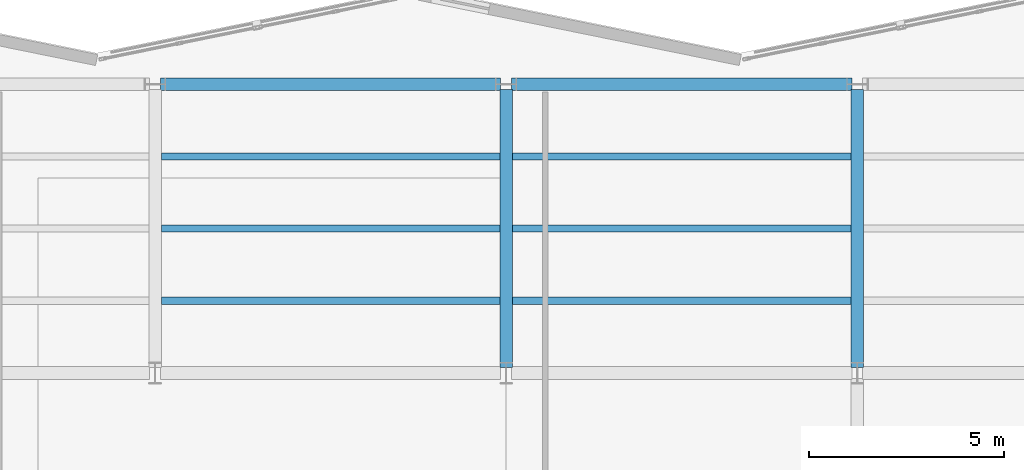
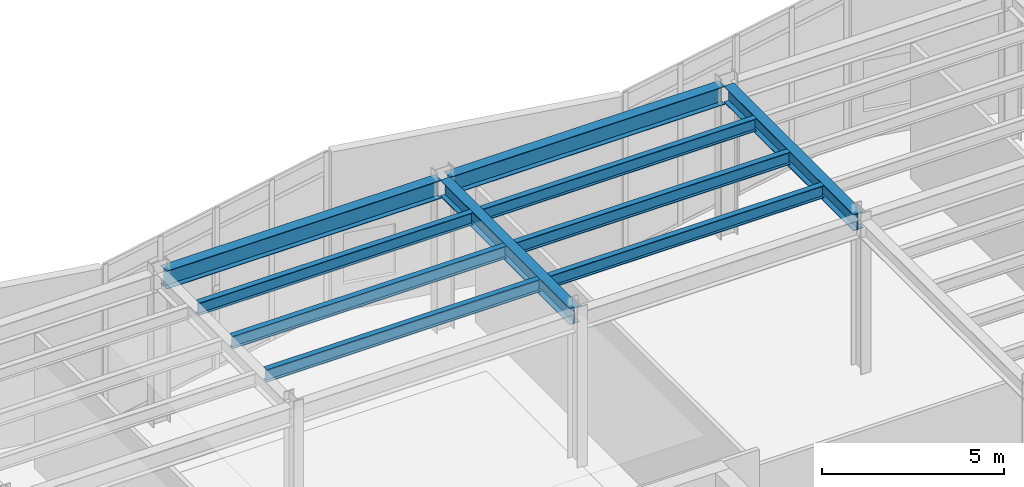
# One storey, part 61 of 98: 10 beams.
"""IFC4 building model written with IfcOpenShell, lengths in metres."""

from ifc_helpers import new_model, si_unit, direction, frame, origin, origin_2d, place, context, subcontext, project, spatial, i_section, extrude, material, material_profile, profile_set, type_object, element, save


model = new_model("IFC4")

# Units and contexts
model_context = context("Model", 3, precision=1e-05, world=origin(), true_north=direction((0.0, 1.0)))
body_context = subcontext(model_context, "Body", "Model", "MODEL_VIEW")
ifc_project = project(units=[si_unit("LENGTHUNIT", "METRE"), si_unit("AREAUNIT", "SQUARE_METRE"), si_unit("VOLUMEUNIT", "CUBIC_METRE"), si_unit("PLANEANGLEUNIT", "RADIAN"), si_unit("MASSUNIT", "GRAM", prefix="KILO")], contexts=[model_context])

# Site, building, storey
site_placement = place(None, origin())
site = spatial("IfcSite", under=ifc_project, at=site_placement, CompositionType="ELEMENT")
building_placement = place(site_placement, origin())
building = spatial("IfcBuilding", under=site, at=building_placement, Name="Sollismere Congress Hotel", CompositionType="ELEMENT")
storey_placement = place(building_placement, frame((0.0, 0.0, 5.39990234375)))
storey = spatial("IfcBuildingStorey", under=building, at=storey_placement, Name="L01", CompositionType="ELEMENT", Elevation=5.39990234375)

# Beams
ifc_material = material(Name="Steel ASTM A992 Grade 50", Category="steel")
ifc_material_profile_1 = material_profile(ifc_material, i_section(OverallWidth=0.31494140625, OverallDepth=0.551025390625, WebThickness=0.01513671875, FlangeThickness=0.0244140625, at=origin_2d()), Name="W21X122")
ifc_profile_set_1 = profile_set([ifc_material_profile_1], Name="Steel ASTM A992 Grade 50")
beam_type_1 = type_object("IfcBeamType", Name="BM-G21H", PredefinedType="BEAM", material=ifc_profile_set_1)
for number, where, z_axis, x_axis, name in (
    (1, (85.0, 95.139892578125, 4.844482421875), (0.0, 1.0, 0.0), (-1.0, 0.0, 0.0), "Beam BM-L01-1668"),
    (2, (94.0, 95.139892578125, 4.844482421875), (0.0, 1.0, 0.0), (-1.0, 0.0, 0.0), "Beam BM-L01-1673"),
):
    element("IfcBeam", number, at=place(storey_placement, frame(where, z_axis=z_axis, x_axis=x_axis)), inside=storey, type_object=beam_type_1, Name=name, PredefinedType="BEAM", context=body_context, shape_type="SweptSolid", body=[
        extrude(i_section(OverallWidth=0.31494140625, OverallDepth=0.551025390625, WebThickness=0.01513671875, FlangeThickness=0.0244140625, at=origin_2d()), origin(), (0.0, 0.0, 1.0), 7.1201171875),
    ])
ifc_material_profile_2 = material_profile(ifc_material, i_section(OverallWidth=0.324951171875, OverallDepth=0.612060546875, WebThickness=0.0126953125, FlangeThickness=0.01904296875, at=origin_2d()), Name="W24X104")
ifc_profile_set_2 = profile_set([ifc_material_profile_2], Name="Steel ASTM A992 Grade 50")
beam_type_2 = type_object("IfcBeamType", Name="BM-G24", PredefinedType="BEAM", material=ifc_profile_set_2)
for number, where, z_axis, x_axis, name in (
    (3, (76.139892578125, 102.39990234375, 4.814208984375), (1.0, 0.0, 0.0), (0.0, 1.0, 0.0), "Beam BM-L01-1618"),
    (4, (85.139892578125, 102.39990234375, 4.814208984375), (1.0, 0.0, 0.0), (0.0, 1.0, 0.0), "Beam BM-L01-1619"),
):
    element("IfcBeam", number, at=place(storey_placement, frame(where, z_axis=z_axis, x_axis=x_axis)), inside=storey, type_object=beam_type_2, Name=name, PredefinedType="BEAM", context=body_context, shape_type="SweptSolid", body=[
        extrude(i_section(OverallWidth=0.324951171875, OverallDepth=0.612060546875, WebThickness=0.0126953125, FlangeThickness=0.01904296875, at=origin_2d()), origin(), (0.0, 0.0, 1.0), 8.72021484375),
    ])
ifc_material_profile_3 = material_profile(ifc_material, i_section(OverallWidth=0.180908203125, OverallDepth=0.4169921875, WebThickness=0.010986328125, FlangeThickness=0.018310546875, at=origin_2d()), Name="W16X57")
ifc_profile_set_3 = profile_set([ifc_material_profile_3], Name="Steel ASTM A992 Grade 50")
beam_type_3 = type_object("IfcBeamType", Name="BM-J16", PredefinedType="JOIST", material=ifc_profile_set_3)
for number, where, z_axis, x_axis, name in (
    (5, (76.157470703125, 96.85009765625, 4.91162109375), (1.0, 0.0, 0.0), (0.0, 1.0, 0.0), "Beam BM-L01-1813"),
    (6, (76.157470703125, 98.699951171875, 4.91162109375), (1.0, 0.0, 0.0), (0.0, 1.0, 0.0), "Beam BM-L01-1814"),
    (7, (76.157470703125, 100.550048828125, 4.91162109375), (1.0, 0.0, 0.0), (0.0, 1.0, 0.0), "Beam BM-L01-1815"),
    (8, (85.157470703125, 96.85009765625, 4.91162109375), (1.0, 0.0, 0.0), (0.0, 1.0, 0.0), "Beam BM-L01-1820"),
    (9, (85.157470703125, 98.699951171875, 4.91162109375), (1.0, 0.0, 0.0), (0.0, 1.0, 0.0), "Beam BM-L01-1821"),
    (10, (85.157470703125, 100.550048828125, 4.91162109375), (1.0, 0.0, 0.0), (0.0, 1.0, 0.0), "Beam BM-L01-1822"),
):
    element("IfcBeam", number, at=place(storey_placement, frame(where, z_axis=z_axis, x_axis=x_axis)), inside=storey, type_object=beam_type_3, Name=name, PredefinedType="JOIST", context=body_context, shape_type="SweptSolid", body=[
        extrude(i_section(OverallWidth=0.180908203125, OverallDepth=0.4169921875, WebThickness=0.010986328125, FlangeThickness=0.018310546875, at=origin_2d()), origin(), (0.0, 0.0, 1.0), 8.68505859375),
    ])

save(model, "model.ifc")
